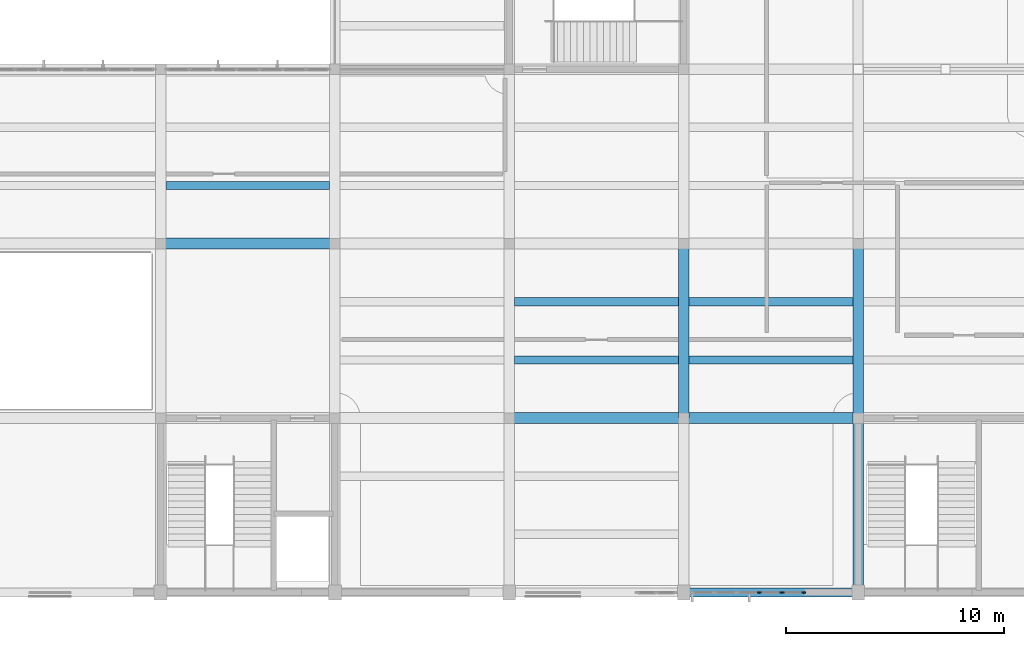
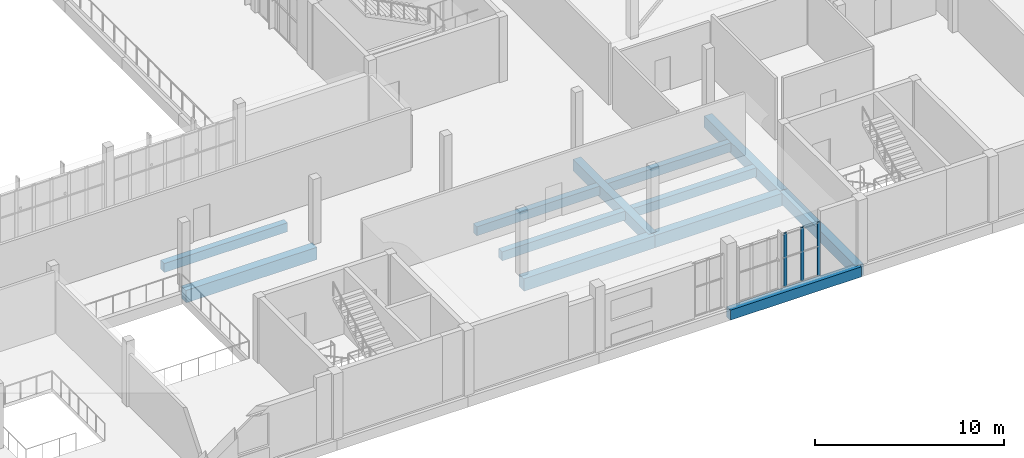
# One storey, part 18 of 70: 12 beams, 3 members, 1 element without a shape of its own.
"""IFC4 building model written with IfcOpenShell, lengths in metres."""

from ifc_helpers import new_model, si_unit, direction, frame, origin, origin_2d, place, context, subcontext, project, spatial, rectangle, extrude, material, layer, layer_set, material_profile, profile_set, type_object, element, aggregate, save


model = new_model("IFC4")

# Units and contexts
model_context = context("Model", 3, precision=1e-05, world=origin(), true_north=direction((0.0, 1.0)))
body_context = subcontext(model_context, "Body", "Model", "MODEL_VIEW")
ifc_project = project(units=[si_unit("LENGTHUNIT", "METRE"), si_unit("AREAUNIT", "SQUARE_METRE"), si_unit("VOLUMEUNIT", "CUBIC_METRE"), si_unit("PLANEANGLEUNIT", "RADIAN"), si_unit("MASSUNIT", "GRAM", prefix="KILO")], contexts=[model_context])

# Site, building, storey
site_placement = place(None, origin())
site = spatial("IfcSite", under=ifc_project, at=site_placement, CompositionType="ELEMENT")
building_placement = place(site_placement, origin())
building = spatial("IfcBuilding", under=site, at=building_placement, Name="Solvane Community Centre", CompositionType="ELEMENT")
storey_placement = place(building_placement, frame((0.0, 0.0, 9.60009765625)))
storey = spatial("IfcBuildingStorey", under=building, at=storey_placement, Name="L02", CompositionType="ELEMENT", Elevation=9.60009765625)

# Curtain wall, members
ifc_material_1 = material(Name="Anodised bronze aluminium AW-6063 T6", Category="aluminium")
ifc_layer = layer(ifc_material_1, 0.18994140625)
ifc_layer_set = layer_set([ifc_layer], Name="Anodised bronze aluminium AW-6063 T6")
curtain_wall_type = type_object("IfcCurtainWallType", Name="Boulevard Bronze Vision Curtain Wall [52x34dm]", PredefinedType="NOTDEFINED", material=ifc_layer_set)
curtain_wall_placement = place(storey_placement, origin())
curtain_wall = element("IfcCurtainWall", 1, at=curtain_wall_placement, inside=storey, type_object=curtain_wall_type, Name="Curtain Wall CW-L02-1295_60-187", PredefinedType="NOTDEFINED")
ifc_material_profile_1 = material_profile(ifc_material_1, rectangle(XDim=0.06005859375, YDim=0.18994140625, at=origin_2d()), Name="CW-M 60x190")
ifc_profile_set_1 = profile_set([ifc_material_profile_1], Name="Anodised bronze aluminium AW-6063 T6")
member_type = type_object("IfcMemberType", Name="Boulevard Mullion 60x190", PredefinedType="MULLION", material=ifc_profile_set_1)
member_1_placement = place(storey_placement, frame((129.508544921875, 6.0, 0.0), z_axis=(0.0, 0.0, 1.0), x_axis=(0.0, -1.0, 0.0)))
member_1 = element("IfcMember", 2, at=member_1_placement, type_object=member_type, Name="CW02-52x34 mullion 1", PredefinedType="MULLION", context=body_context, shape_type="SweptSolid", body=[
    extrude(rectangle(XDim=0.06005859375, YDim=0.18994140625, at=origin_2d()), origin(), (0.0, 0.0, 1.0), 3.44482421875),
])
member_2_placement = place(storey_placement, frame((128.501708984375, 6.0, 0.0), z_axis=(0.0, 0.0, 1.0), x_axis=(0.0, -1.0, 0.0)))
member_2 = element("IfcMember", 3, at=member_2_placement, type_object=member_type, Name="CW02-52x34 mullion 2", PredefinedType="MULLION", context=body_context, shape_type="SweptSolid", body=[
    extrude(rectangle(XDim=0.06005859375, YDim=0.18994140625, at=origin_2d()), origin(), (0.0, 0.0, 1.0), 3.44482421875),
])
member_3_placement = place(storey_placement, frame((127.465087890625, 6.0, 0.0), z_axis=(0.0, 0.0, 1.0), x_axis=(0.0, -1.0, 0.0)))
member_3 = element("IfcMember", 4, at=member_3_placement, type_object=member_type, Name="CW02-52x34 mullion 3", PredefinedType="MULLION", context=body_context, shape_type="SweptSolid", body=[
    extrude(rectangle(XDim=0.06005859375, YDim=0.18994140625, at=origin_2d()), origin(), (0.0, 0.0, 1.0), 3.44482421875),
])
aggregate(curtain_wall, [member_1, member_2, member_3])

# Beams
ifc_material_2 = material(Name="Concrete C35/45", Category="concrete")
ifc_material_profile_2 = material_profile(ifc_material_2, rectangle(XDim=0.47998046875, YDim=0.739990234375, at=origin_2d()), Name="RC 480x740")
ifc_profile_set_2 = profile_set([ifc_material_profile_2], Name="Concrete C35/45")
beam_type_1 = type_object("IfcBeamType", Name="RC Bay Beam 480x740", PredefinedType="BEAM", material=ifc_profile_set_2)
for number, where, z_axis, x_axis, name in (
    (5, (124.0, 14.0, -0.590087890625), (0.0, 1.0, 0.0), (-1.0, 0.0, 0.0), "Beam BM-L02-1240_140-1240_220"),
    (6, (132.0, 6.0, -0.590087890625), (0.0, 1.0, 0.0), (-1.0, 0.0, 0.0), "Beam BM-L02-1320_60-1320_140"),
    (7, (132.0, 14.0, -0.590087890625), (0.0, 1.0, 0.0), (-1.0, 0.0, 0.0), "Beam BM-L02-1320_140-1320_220"),
):
    element("IfcBeam", number, at=place(storey_placement, frame(where, z_axis=z_axis, x_axis=x_axis)), inside=storey, type_object=beam_type_1, Name=name, PredefinedType="BEAM", context=body_context, shape_type="SweptSolid", body=[
        extrude(rectangle(XDim=0.47998046875, YDim=0.739990234375, at=origin_2d()), origin(), (0.0, 0.0, 1.0), 8.0),
    ])
ifc_material_profile_3 = material_profile(ifc_material_2, rectangle(XDim=0.5, YDim=0.800048828125, at=origin_2d()), Name="RC 500x800")
ifc_profile_set_3 = profile_set([ifc_material_profile_3], Name="Concrete C35/45")
beam_type_2 = type_object("IfcBeamType", Name="RC Primary Girder 500x800", PredefinedType="USERDEFINED", material=ifc_profile_set_3)
for number, where, z_axis, x_axis, name in (
    (8, (116.0, 14.0, -0.6201171875), (1.0, 0.0, 0.0), (0.0, 1.0, 0.0), "Beam BM-L02-1160_140-1240_140"),
    (9, (124.0, 14.0, -0.6201171875), (1.0, 0.0, 0.0), (0.0, 1.0, 0.0), "Beam BM-L02-1240_140-1320_140"),
    (10, (100.0, 22.0, -0.6201171875), (1.0, 0.0, 0.0), (0.0, 1.0, 0.0), "Beam BM-L02-1000_220-1080_220"),
):
    element("IfcBeam", number, at=place(storey_placement, frame(where, z_axis=z_axis, x_axis=x_axis)), inside=storey, type_object=beam_type_2, Name=name, ObjectType="GIRDER", PredefinedType="USERDEFINED", context=body_context, shape_type="SweptSolid", body=[
        extrude(rectangle(XDim=0.5, YDim=0.800048828125, at=origin_2d()), origin(), (0.0, 0.0, 1.0), 8.0),
    ])
ifc_material_profile_4 = material_profile(ifc_material_2, rectangle(XDim=0.3798828125, YDim=0.580078125, at=origin_2d()), Name="RC 380x580")
ifc_profile_set_4 = profile_set([ifc_material_profile_4], Name="Concrete C35/45")
beam_type_3 = type_object("IfcBeamType", Name="RC Short Joist 380x580", PredefinedType="JOIST", material=ifc_profile_set_4)
for number, where, z_axis, x_axis, name in (
    (11, (100.239990234375, 24.666748046875, -0.510009765625), (1.0, 0.0, 0.0), (0.0, 1.0, 0.0), "Beam BM-L02-1002_247-1078_247"),
    (12, (116.239990234375, 16.666748046875, -0.510009765625), (1.0, 0.0, 0.0), (0.0, 1.0, 0.0), "Beam BM-L02-1162_167-1238_167"),
    (13, (116.239990234375, 19.333251953125, -0.510009765625), (1.0, 0.0, 0.0), (0.0, 1.0, 0.0), "Beam BM-L02-1162_193-1238_193"),
    (14, (124.239990234375, 16.666748046875, -0.510009765625), (1.0, 0.0, 0.0), (0.0, 1.0, 0.0), "Beam BM-L02-1242_167-1318_167"),
    (15, (124.239990234375, 19.333251953125, -0.510009765625), (1.0, 0.0, 0.0), (0.0, 1.0, 0.0), "Beam BM-L02-1242_193-1318_193"),
):
    element("IfcBeam", number, at=place(storey_placement, frame(where, z_axis=z_axis, x_axis=x_axis)), inside=storey, type_object=beam_type_3, Name=name, PredefinedType="JOIST", context=body_context, shape_type="SweptSolid", body=[
        extrude(rectangle(XDim=0.3798828125, YDim=0.580078125, at=origin_2d()), origin(), (0.0, 0.0, 1.0), 7.52001953125),
    ])
ifc_material_profile_5 = material_profile(ifc_material_2, rectangle(XDim=0.39990234375, YDim=0.64990234375, at=origin_2d()), Name="RC 400x650")
ifc_profile_set_5 = profile_set([ifc_material_profile_5], Name="Concrete C35/45")
beam_type_4 = type_object("IfcBeamType", Name="RC Spandrel Edge Beam 400x650", PredefinedType="SPANDREL", material=ifc_profile_set_5)
beam_placement = place(storey_placement, frame((124.0, 6.0, -0.545166015625), z_axis=(1.0, 0.0, 0.0), x_axis=(0.0, 1.0, 0.0)))
element("IfcBeam", 16, at=beam_placement, inside=storey, type_object=beam_type_4, Name="Beam BM-L02-1240_60-1320_60", PredefinedType="SPANDREL", context=body_context, shape_type="SweptSolid", body=[
    extrude(rectangle(XDim=0.39990234375, YDim=0.64990234375, at=origin_2d()), origin(), (0.0, 0.0, 1.0), 8.0),
])

save(model, "model.ifc")
